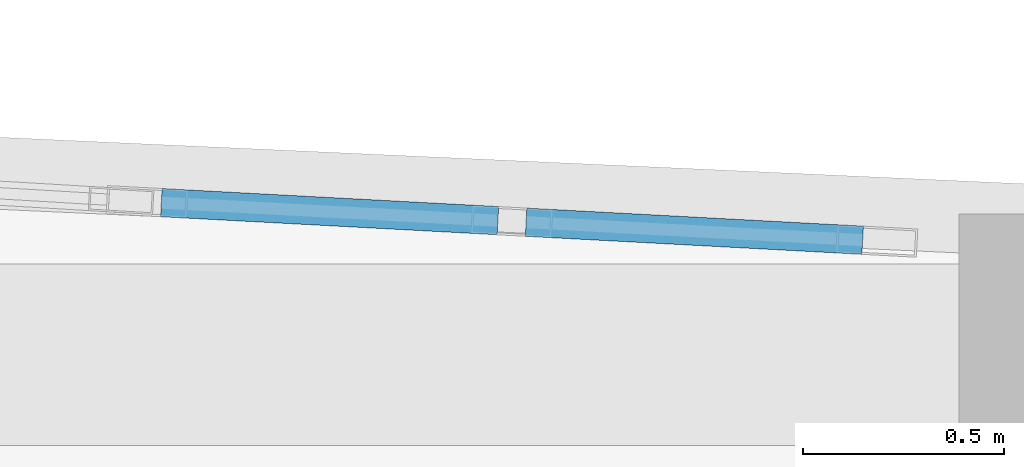
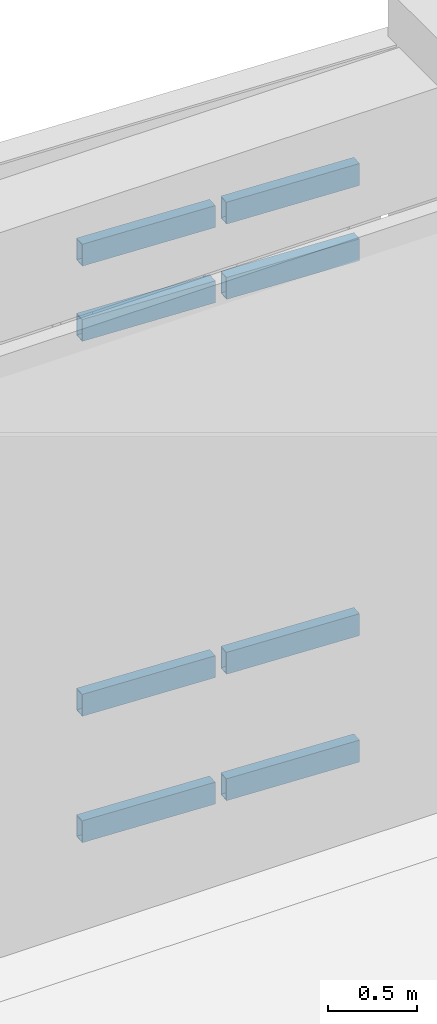
# One storey, part 67 of 117: 8 members, 1 element without a shape of its own.
"""IFC4 building model written with IfcOpenShell, lengths in metres."""

from ifc_helpers import new_model, si_unit, direction, frame, origin, origin_2d, place, context, subcontext, project, spatial, hollow_rectangle, extrude, material, layer, layer_set, material_profile, profile_set, type_object, element, aggregate, save


model = new_model("IFC4")

# Units and contexts
model_context = context("Model", 3, precision=1e-05, world=origin(), true_north=direction((0.0, 1.0)))
body_context = subcontext(model_context, "Body", "Model", "MODEL_VIEW")
ifc_project = project(units=[si_unit("LENGTHUNIT", "METRE"), si_unit("AREAUNIT", "SQUARE_METRE"), si_unit("VOLUMEUNIT", "CUBIC_METRE"), si_unit("PLANEANGLEUNIT", "RADIAN"), si_unit("MASSUNIT", "GRAM", prefix="KILO")], contexts=[model_context])

# Site, building, storey
site_placement = place(None, origin())
site = spatial("IfcSite", under=ifc_project, at=site_placement, CompositionType="ELEMENT")
building_placement = place(site_placement, origin())
building = spatial("IfcBuilding", under=site, at=building_placement, Name="Carrowvane Square Congress Hotel", CompositionType="ELEMENT")
storey_placement = place(building_placement, frame((0.0, 0.0, 5.39990234375)))
storey = spatial("IfcBuildingStorey", under=building, at=storey_placement, Name="L01", CompositionType="ELEMENT", Elevation=5.39990234375)

# Curtain wall, members
ifc_material_1 = material(Name="Anodised aluminium", Category="aluminium")
ifc_layer = layer(ifc_material_1, 0.24609375)
ifc_layer_set = layer_set([ifc_layer], Name="Anodised aluminium")
curtain_wall_type = type_object("IfcCurtainWallType", Name="CW-SYS-8", PredefinedType="NOTDEFINED", material=ifc_layer_set)
curtain_wall_placement = place(storey_placement, origin())
curtain_wall = element("IfcCurtainWall", 1, at=curtain_wall_placement, inside=storey, type_object=curtain_wall_type, Name="L01 unitised curtain wall 111", PredefinedType="NOTDEFINED")
ifc_material_2 = material(Name="Anodised aluminium", Category="aluminium")
ifc_material_profile = material_profile(ifc_material_2, hollow_rectangle(XDim=0.070068359375, YDim=0.14990234375, WallThickness=0.0048828125, at=origin_2d()), Name="CW-TR 70x150x5")
ifc_profile_set = profile_set([ifc_material_profile], Name="Anodised aluminium")
member_type = type_object("IfcMemberType", Name="CW-TRN-2", PredefinedType="USERDEFINED", material=ifc_profile_set)
member_1_placement = place(storey_placement, frame((153.27001953125, 113.777587890625, 0.03515625), z_axis=(0.998573138297, -0.053401193544, 0.0), x_axis=(0.053401193544, 0.998573138297, 0.0)))
member_1 = element("IfcMember", 2, at=member_1_placement, type_object=member_type, Name="CW-8 transom 1.1", ObjectType="TRANSOM", PredefinedType="USERDEFINED", context=body_context, shape_type="SweptSolid", body=[
    extrude(hollow_rectangle(XDim=0.070068359375, YDim=0.14990234375, WallThickness=0.0048828125, at=origin_2d()), origin(), (0.0, 0.0, 1.0), 0.836669921875),
])
member_2_placement = place(storey_placement, frame((153.27001953125, 113.777587890625, 0.900146484375), z_axis=(0.998573138297, -0.053401193544, 0.0), x_axis=(0.053401193544, 0.998573138297, 0.0)))
member_2 = element("IfcMember", 3, at=member_2_placement, type_object=member_type, Name="CW-8 transom 1.2", ObjectType="TRANSOM", PredefinedType="USERDEFINED", context=body_context, shape_type="SweptSolid", body=[
    extrude(hollow_rectangle(XDim=0.070068359375, YDim=0.14990234375, WallThickness=0.0048828125, at=origin_2d()), origin(), (0.0, 0.0, 1.0), 0.836669921875),
])
member_3_placement = place(storey_placement, frame((153.27001953125, 113.777587890625, 3.465087890625), z_axis=(0.998573138297, -0.053401193544, 0.0), x_axis=(0.053401193544, 0.998573138297, 0.0)))
member_3 = element("IfcMember", 4, at=member_3_placement, type_object=member_type, Name="CW-8 transom 1.3", ObjectType="TRANSOM", PredefinedType="USERDEFINED", context=body_context, shape_type="SweptSolid", body=[
    extrude(hollow_rectangle(XDim=0.070068359375, YDim=0.14990234375, WallThickness=0.0048828125, at=origin_2d()), origin(), (0.0, 0.0, 1.0), 0.836669921875),
])
member_4_placement = place(storey_placement, frame((153.27001953125, 113.777587890625, 3.97998046875), z_axis=(0.998573138297, -0.053401193544, 0.0), x_axis=(0.053401193544, 0.998573138297, 0.0)))
member_4 = element("IfcMember", 5, at=member_4_placement, type_object=member_type, Name="CW-8 transom 1.4", ObjectType="TRANSOM", PredefinedType="USERDEFINED", context=body_context, shape_type="SweptSolid", body=[
    extrude(hollow_rectangle(XDim=0.070068359375, YDim=0.14990234375, WallThickness=0.0048828125, at=origin_2d()), origin(), (0.0, 0.0, 1.0), 0.836669921875),
])
member_5_placement = place(storey_placement, frame((154.175537109375, 113.72900390625, 0.03515625), z_axis=(0.998573138297, -0.053401193544, 0.0), x_axis=(0.053401193544, 0.998573138297, 0.0)))
member_5 = element("IfcMember", 6, at=member_5_placement, type_object=member_type, Name="CW-8 transom 2.1", ObjectType="TRANSOM", PredefinedType="USERDEFINED", context=body_context, shape_type="SweptSolid", body=[
    extrude(hollow_rectangle(XDim=0.070068359375, YDim=0.14990234375, WallThickness=0.0048828125, at=origin_2d()), origin(), (0.0, 0.0, 1.0), 0.836669921875),
])
member_6_placement = place(storey_placement, frame((154.175537109375, 113.72900390625, 0.900146484375), z_axis=(0.998573138297, -0.053401193544, 0.0), x_axis=(0.053401193544, 0.998573138297, 0.0)))
member_6 = element("IfcMember", 7, at=member_6_placement, type_object=member_type, Name="CW-8 transom 2.2", ObjectType="TRANSOM", PredefinedType="USERDEFINED", context=body_context, shape_type="SweptSolid", body=[
    extrude(hollow_rectangle(XDim=0.070068359375, YDim=0.14990234375, WallThickness=0.0048828125, at=origin_2d()), origin(), (0.0, 0.0, 1.0), 0.836669921875),
])
member_7_placement = place(storey_placement, frame((154.175537109375, 113.72900390625, 3.465087890625), z_axis=(0.998573138297, -0.053401193544, 0.0), x_axis=(0.053401193544, 0.998573138297, 0.0)))
member_7 = element("IfcMember", 8, at=member_7_placement, type_object=member_type, Name="CW-8 transom 2.3", ObjectType="TRANSOM", PredefinedType="USERDEFINED", context=body_context, shape_type="SweptSolid", body=[
    extrude(hollow_rectangle(XDim=0.070068359375, YDim=0.14990234375, WallThickness=0.0048828125, at=origin_2d()), origin(), (0.0, 0.0, 1.0), 0.836669921875),
])
member_8_placement = place(storey_placement, frame((154.175537109375, 113.72900390625, 3.97998046875), z_axis=(0.998573138297, -0.053401193544, 0.0), x_axis=(0.053401193544, 0.998573138297, 0.0)))
member_8 = element("IfcMember", 9, at=member_8_placement, type_object=member_type, Name="CW-8 transom 2.4", ObjectType="TRANSOM", PredefinedType="USERDEFINED", context=body_context, shape_type="SweptSolid", body=[
    extrude(hollow_rectangle(XDim=0.070068359375, YDim=0.14990234375, WallThickness=0.0048828125, at=origin_2d()), origin(), (0.0, 0.0, 1.0), 0.836669921875),
])
aggregate(curtain_wall, [member_1, member_2, member_3, member_4, member_5, member_6, member_7, member_8])

save(model, "model.ifc")
